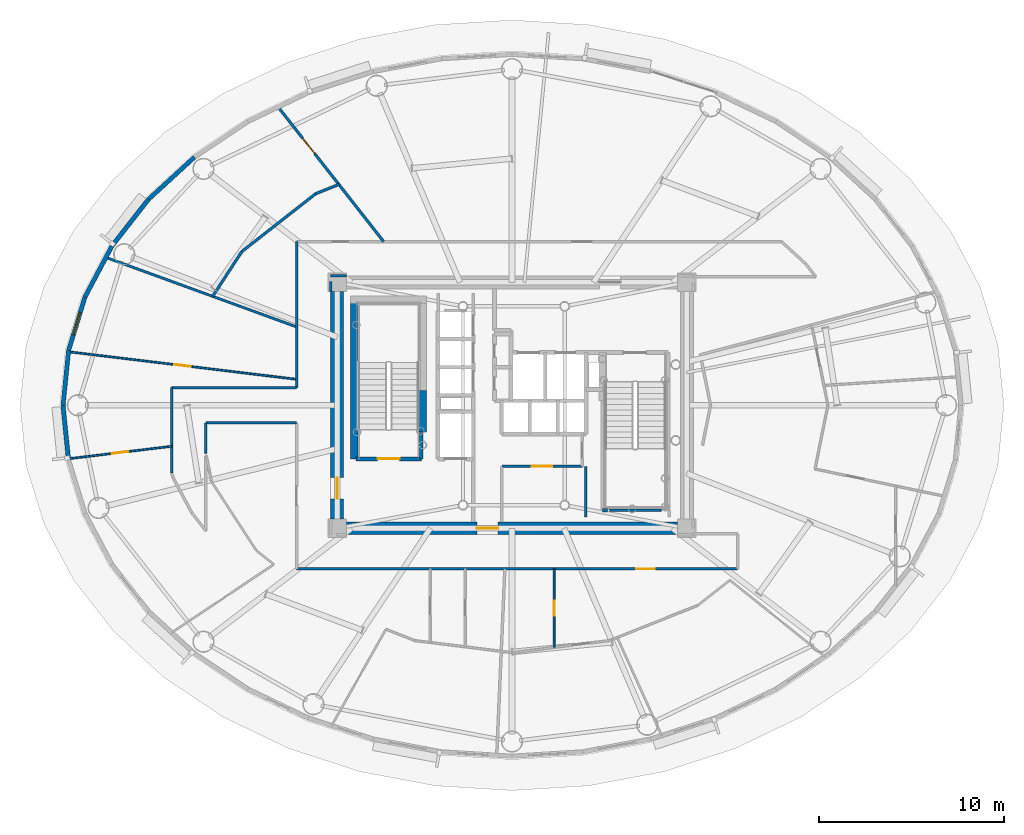
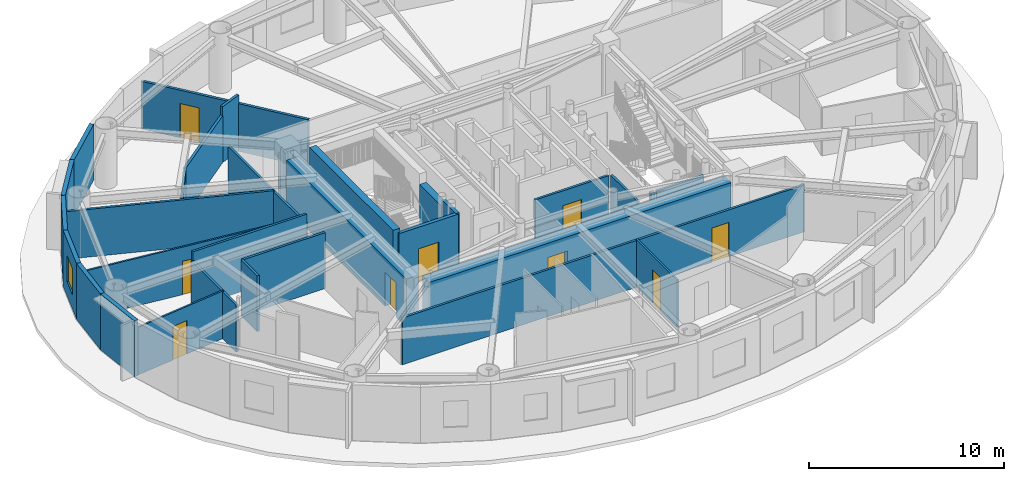
# One storey, part 10 of 19: 32 walls, 9 doors, 1 window, 10 openings.
"""IFC4 building model written with IfcOpenShell, lengths in metres."""

import ifcopenshell
import ifcopenshell.guid

model = None  # the IFC model being written
_history = None  # IfcOwnerHistory: only IFC2X3 demands one
_inside = {}  # id of a spatial element -> (the spatial element, [elements in it])
_under = {}  # id of a project, library or spatial element -> (it, [spatial elements below it])
_declared = {}  # id of a project -> (the project, [libraries it declares])
_typed = {}  # id of a type object -> (the type object, [elements of that type])
_made_of = {}  # id of a material, layer set ... -> (it, [elements and type objects made of it])


def new_model(schema):
    """Start an empty IFC model of exactly this schema.

    Asked for "IFC4X3", IfcOpenShell would pick the latest addendum, in which some entities
    have other attributes; the version numbers below select the first issue.
    IFC2X3 requires an IfcOwnerHistory on every rooted entity: one is made here for all.
    """
    global model, _history
    if schema == "IFC4X3":
        model = ifcopenshell.file(schema_version=(4, 3, 0, 0))
    else:
        model = ifcopenshell.file(schema=schema)
    _inside.clear()
    _under.clear()
    _declared.clear()
    _typed.clear()
    _made_of.clear()
    _history = None
    if model.schema == "IFC2X3":
        org = make("IfcOrganization", Name="unknown")
        user = make(
            "IfcPersonAndOrganization",
            ThePerson=make("IfcPerson", FamilyName="unknown"),
            TheOrganization=org,
        )
        app = make(
            "IfcApplication",
            ApplicationDeveloper=org,
            Version="unknown",
            ApplicationFullName="unknown",
            ApplicationIdentifier="unknown",
        )
        _history = make(
            "IfcOwnerHistory",
            OwningUser=user,
            OwningApplication=app,
            ChangeAction="ADDED",
            CreationDate=0,
        )
    return model


def make(cls, **values):
    """One entity of the class cls with the attributes given. An attribute that is None is left unset."""
    return model.create_entity(
        cls, **{name: value for name, value in values.items() if value is not None}
    )


def rooted(cls, **values):
    """An entity with a GlobalId (a new one), such as an element, a storey or a relation."""
    return make(cls, GlobalId=ifcopenshell.guid.new(), OwnerHistory=_history, **values)


def si_unit(unit_type, name, prefix=None):
    """IfcSIUnit, for example si_unit("LENGTHUNIT", "METRE", prefix="MILLI")."""
    return make("IfcSIUnit", UnitType=unit_type, Prefix=prefix, Name=name)


def assignment(units):
    """IfcUnitAssignment: the units of a project."""
    return None if units is None else make("IfcUnitAssignment", Units=units)


def point(xyz):
    """IfcCartesianPoint."""
    return None if xyz is None else make("IfcCartesianPoint", Coordinates=xyz)


def direction(xyz):
    """IfcDirection."""
    return None if xyz is None else make("IfcDirection", DirectionRatios=xyz)


def frame(location, z_axis=None, x_axis=None):
    """IfcAxis2Placement3D, a coordinate frame: its origin and axes. An axis left out is left unset."""
    return make(
        "IfcAxis2Placement3D",
        Location=point(location),
        Axis=direction(z_axis),
        RefDirection=direction(x_axis),
    )


def frame_2d(location, x_axis=None):
    """IfcAxis2Placement2D, a coordinate frame in the plane: its origin and x axis."""
    return make(
        "IfcAxis2Placement2D", Location=point(location), RefDirection=direction(x_axis)
    )


def origin():
    """The frame at (0, 0, 0) with its axes left unset."""
    return frame((0.0, 0.0, 0.0))


def origin_2d():
    """The frame at (0, 0) in the plane with its x axis left unset."""
    return frame_2d((0.0, 0.0))


def place(relative_to, where):
    """IfcLocalPlacement: puts the frame where relative to a parent placement (None: the world)."""
    return make(
        "IfcLocalPlacement", PlacementRelTo=relative_to, RelativePlacement=where
    )


def context(
    kind, dimensions, precision=None, world=None, true_north=None, identifier=None
):
    """IfcGeometricRepresentationContext, for example the 3D "Model" context."""
    return make(
        "IfcGeometricRepresentationContext",
        ContextIdentifier=identifier,
        ContextType=kind,
        CoordinateSpaceDimension=dimensions,
        Precision=precision,
        WorldCoordinateSystem=world,
        TrueNorth=true_north,
    )


def subcontext(parent, identifier, kind, view, scale=None):
    """IfcGeometricRepresentationSubContext, for example "Body" below "Model"."""
    return make(
        "IfcGeometricRepresentationSubContext",
        ContextIdentifier=identifier,
        ContextType=kind,
        ParentContext=parent,
        TargetScale=scale,
        TargetView=view,
    )


def project(units=None, contexts=None):
    """IfcProject with its units and contexts."""
    return rooted(
        "IfcProject",
        Name="project",
        RepresentationContexts=contexts,
        UnitsInContext=assignment(units),
    )


def spatial(cls, under=None, at=None, **own):
    """A site, building, storey or space (cls), placed at a placement, below another one or the project."""
    s = rooted(cls, ObjectPlacement=at, **own)
    if under is not None:
        _under.setdefault(under.id(), (under, []))[1].append(s)
    return s


def profile(cls, at=None, kind="AREA", **sizes):
    """A parametric profile (cls). Its sizes go by their IFC names, for example OverallWidth=200.0."""
    return make(cls, ProfileType=kind, Position=at, **sizes)


def rectangle(**sizes):
    """IfcRectangleProfileDef."""
    return profile("IfcRectangleProfileDef", **sizes)


def extrude(swept, where, along, depth):
    """IfcExtrudedAreaSolid: the profile swept, set in the frame where, extruded along a direction by depth."""
    return make(
        "IfcExtrudedAreaSolid",
        SweptArea=swept,
        Position=where,
        ExtrudedDirection=direction(along),
        Depth=depth,
    )


def shape(context_of_items, identifier, shape_type, items):
    """IfcShapeRepresentation: the items that make up one representation, for example the "Body"."""
    return make(
        "IfcShapeRepresentation",
        ContextOfItems=context_of_items,
        RepresentationIdentifier=identifier,
        RepresentationType=shape_type,
        Items=items,
    )


def source(mapping_origin, context_of_items, identifier, shape_type, items):
    """IfcRepresentationMap: a shape defined once, which mapped items show again and again."""
    return make(
        "IfcRepresentationMap",
        MappingOrigin=mapping_origin,
        MappedRepresentation=shape(context_of_items, identifier, shape_type, items),
    )


def transform(
    local_origin,
    x_axis=None,
    y_axis=None,
    z_axis=None,
    scale=None,
    scale2=None,
    scale3=None,
    uniform=True,
):
    """IfcCartesianTransformationOperator3D, or its non-uniform kind. x_axis, y_axis, z_axis: its Axis1, 2, 3."""
    if uniform:
        return make(
            "IfcCartesianTransformationOperator3D",
            Axis1=direction(x_axis),
            Axis2=direction(y_axis),
            LocalOrigin=point(local_origin),
            Scale=scale,
            Axis3=direction(z_axis),
        )
    return make(
        "IfcCartesianTransformationOperator3DnonUniform",
        Axis1=direction(x_axis),
        Axis2=direction(y_axis),
        LocalOrigin=point(local_origin),
        Scale=scale,
        Axis3=direction(z_axis),
        Scale2=scale2,
        Scale3=scale3,
    )


def mapped(mapping_source, mapping_target):
    """IfcMappedItem: shows the shape of a source again, moved by a transform."""
    return make(
        "IfcMappedItem", MappingSource=mapping_source, MappingTarget=mapping_target
    )


def material(Name=None, Category=None):
    """IfcMaterial."""
    return make("IfcMaterial", Name=Name, Category=Category)


def layer(
    of_material, thickness, ventilated=None, Name=None, Category=None, Priority=None
):
    """IfcMaterialLayer: one layer of a wall or slab, of a material (None: an air gap)."""
    return make(
        "IfcMaterialLayer",
        Material=of_material,
        LayerThickness=thickness,
        IsVentilated=ventilated,
        Name=Name,
        Category=Category,
        Priority=Priority,
    )


def layer_set(layers, Name=None):
    """IfcMaterialLayerSet."""
    return make("IfcMaterialLayerSet", MaterialLayers=layers, LayerSetName=Name)


def made_of(thing, what):
    """Note that an element or type object is made of a material, layer set ...; save() writes the relation."""
    if what is not None:
        _made_of.setdefault(what.id(), (what, []))[1].append(thing)
    return thing


def type_object(cls, material=None, **own):
    """A type object (cls), such as IfcWallType, which elements share."""
    return made_of(rooted(cls, **own), material)


def element(
    cls,
    number,
    at=None,
    inside=None,
    cuts=None,
    type_object=None,
    material=None,
    context=None,
    identifier="Body",
    shape_type=None,
    held_by="IfcProductDefinitionShape",
    body=None,
    shapes=None,
    **own,
):
    """One element of the class cls, such as IfcWall. Its Tag is "e" and its number.

    at: its placement. inside: the storey or other place that contains it. cuts: it is an
    opening in that element (IfcRelVoidsElement). A single representation is given by context,
    identifier, shape_type and body (its items); several are given by shapes. held_by: the class
    of the entity that holds the representations. save() writes the other relations.
    """
    e = rooted(cls, Tag="e%d" % number, ObjectPlacement=at, **own)
    if body is not None:
        shapes = [shape(context, identifier, shape_type, body)]
    if shapes is not None:
        e.Representation = make(held_by, Representations=shapes)
    if inside is not None:
        _inside.setdefault(inside.id(), (inside, []))[1].append(e)
    if cuts is not None:
        rooted(
            "IfcRelVoidsElement", RelatingBuildingElement=cuts, RelatedOpeningElement=e
        )
    if type_object is not None:
        _typed.setdefault(type_object.id(), (type_object, []))[1].append(e)
    return made_of(e, material)


def fill(opening, filler):
    """IfcRelFillsElement: the door or window that sits in an opening."""
    return rooted(
        "IfcRelFillsElement",
        RelatingOpeningElement=opening,
        RelatedBuildingElement=filler,
    )


def aggregate(whole, parts):
    """IfcRelAggregates: a whole, such as a stair, and the parts it consists of."""
    return rooted("IfcRelAggregates", RelatingObject=whole, RelatedObjects=parts)


def save(model, path):
    """Write the relations noted so far, then the file.

    IfcRelAggregates (storeys below a building ...), IfcRelContainedInSpatialStructure (elements
    in a storey), IfcRelDefinesByType, IfcRelAssociatesMaterial and IfcRelDeclares: one each for
    every whole, place, type object, material and project.
    """
    for whole, parts in _under.values():
        aggregate(whole, parts)
    for where, things in _inside.values():
        rooted(
            "IfcRelContainedInSpatialStructure",
            RelatedElements=things,
            RelatingStructure=where,
        )
    for kind, things in _typed.values():
        rooted("IfcRelDefinesByType", RelatedObjects=things, RelatingType=kind)
    for what, things in _made_of.values():
        rooted("IfcRelAssociatesMaterial", RelatedObjects=things, RelatingMaterial=what)
    for by, libraries in _declared.values():
        rooted("IfcRelDeclares", RelatingContext=by, RelatedDefinitions=libraries)
    model.write(path)


model = new_model("IFC4")

# Units and contexts
model_context = context("Model", 3, precision=1e-05, world=origin(), true_north=direction((0.0, 1.0)))
body_context = subcontext(model_context, "Body", "Model", "MODEL_VIEW")
ifc_project = project(units=[si_unit("LENGTHUNIT", "METRE"), si_unit("AREAUNIT", "SQUARE_METRE"), si_unit("VOLUMEUNIT", "CUBIC_METRE"), si_unit("PLANEANGLEUNIT", "RADIAN"), si_unit("MASSUNIT", "GRAM", prefix="KILO")], contexts=[model_context])

# Site, building, storey
site_placement = place(None, origin())
site = spatial("IfcSite", under=ifc_project, at=site_placement, CompositionType="ELEMENT")
building_placement = place(site_placement, origin())
building = spatial("IfcBuilding", under=site, at=building_placement, Name="Linh Dai School and Residence Tower", CompositionType="ELEMENT")
storey_placement = place(building_placement, frame((0.0, 0.0, 210.300048828125)))
storey = spatial("IfcBuildingStorey", under=building, at=storey_placement, Name="L51", CompositionType="ELEMENT", Elevation=210.300048828125)

# Walls
ifc_material_1 = material(Name="Precast Concrete B45 (C35/45)", Category="concrete")
ifc_layer_1 = layer(ifc_material_1, 0.239990234375)
ifc_layer_set_1 = layer_set([ifc_layer_1], Name="Precast Concrete B45 (C35/45)")
wall_type_1 = type_object("IfcWallType", Name="EW-TC-240", PredefinedType="SOLIDWALL", material=ifc_layer_set_1)
wall_1_placement = place(storey_placement, frame((16.3515625, 38.14453125, 0.0), z_axis=(0.0, 0.0, 1.0), x_axis=(0.737123922599, 0.675757591694, 0.0)))
element("IfcWall", 1, at=wall_1_placement, inside=storey, type_object=wall_type_1, Name="L51 Terracotta Exterior Wall 16", PredefinedType="SOLIDWALL", context=body_context, shape_type="SweptSolid", body=[
    extrude(rectangle(XDim=3.353759765625, YDim=0.239990234375, at=frame_2d((1.6767578125, 0.0))), origin(), (0.0, 0.0, 1.0), 3.5),
])
wall_2_placement = place(storey_placement, frame((14.3642578125, 35.605224609375, 0.0), z_axis=(0.0, 0.0, 1.0), x_axis=(0.616312344705, 0.787501805562, 0.0)))
element("IfcWall", 2, at=wall_2_placement, inside=storey, type_object=wall_type_1, Name="L51 Terracotta Exterior Wall 17", PredefinedType="SOLIDWALL", context=body_context, shape_type="SweptSolid", body=[
    extrude(rectangle(XDim=3.224609375, YDim=0.239990234375, at=frame_2d((1.6123046875, 0.0))), origin(), (0.0, 0.0, 1.0), 3.5),
])
wall_3_placement = place(storey_placement, frame((12.90966796875, 32.85595703125, 0.0), z_axis=(0.0, 0.0, 1.0), x_axis=(0.46766049993, 0.883908172157, 0.0)))
element("IfcWall", 3, at=wall_3_placement, inside=storey, type_object=wall_type_1, Name="L51 Terracotta Exterior Wall 18", PredefinedType="SOLIDWALL", context=body_context, shape_type="SweptSolid", body=[
    extrude(rectangle(XDim=3.1103515625, YDim=0.239990234375, at=frame_2d((1.55517578125, 0.0))), origin(), (0.0, 0.0, 1.0), 3.5),
])

# Wall, opening, window
wall_4_placement = place(storey_placement, frame((12.02294921875, 29.9638671875, 0.0), z_axis=(0.0, 0.0, 1.0), x_axis=(0.293132907334, 0.95607170162, 0.0)))
wall_4 = element("IfcWall", 4, at=wall_4_placement, inside=storey, type_object=wall_type_1, Name="L51 Terracotta Exterior Wall 19", PredefinedType="SOLIDWALL", context=body_context, shape_type="SweptSolid", body=[
    extrude(rectangle(XDim=3.02490234375, YDim=0.239990234375, at=frame_2d((1.512451171875, 0.0))), origin(), (0.0, 0.0, 1.0), 3.5),
])
opening_1_placement = place(wall_4_placement, frame((0.887451171875, 0.0, 0.89990234375)))
opening_1 = element("IfcOpeningElement", 5, at=opening_1_placement, cuts=wall_4, Name="Opening W3", PredefinedType="OPENING", context=body_context, shape_type="SweptSolid", body=[
    extrude(rectangle(XDim=1.25, YDim=1.64990234375, at=origin_2d()), frame((0.625, 0.1298828125, 0.824951171875), z_axis=(0.0, -1.0, 0.0), x_axis=(1.0, 0.0, 0.0)), (0.0, 0.0, 1.0), 0.260009765625),
])
ifc_material_2 = material(Name="Double Low-E Insulated Glazing", Category="glass")
window_type = type_object("IfcWindowType", Name="WN-RES-1250x1650", PartitioningType="SINGLE_PANEL", PredefinedType="WINDOW", material=ifc_material_2)
shared_shape_1 = source(origin(), body_context, "Body", "SweptSolid", [
    extrude(rectangle(XDim=1.25, YDim=1.64990234375, at=origin_2d()), frame((0.625, 0.030029296875, 0.824951171875), z_axis=(0.0, -1.0, 0.0), x_axis=(1.0, 0.0, 0.0)), (0.0, 0.0, 1.0), 0.06005859375),
])
window_placement = place(opening_1_placement, origin())
window = element("IfcWindow", 6, at=window_placement, inside=storey, type_object=window_type, Name="L51 Exterior Window 19.1", OverallHeight=1.64990234375, OverallWidth=1.25, PartitioningType="SINGLE_PANEL", PredefinedType="WINDOW", context=body_context, shape_type="MappedRepresentation", body=[
    mapped(shared_shape_1, transform((0.0, 0.0, 0.0), x_axis=(1.0, 0.0, 0.0), y_axis=(0.0, 1.0, 0.0), z_axis=(0.0, 0.0, 1.0), scale=1.0)),
])
fill(opening_1, window)

# Walls
for number, where, z_axis, x_axis, name in (
    (7, (11.72509765625, 27.0, 0.0), (0.0, 0.0, 1.0), (0.099990595253, 0.994988382274, 0.0), "L51 Terracotta Exterior Wall 20"),
    (8, (12.02294921875, 24.0361328125, 0.0), (0.0, 0.0, 1.0), (-0.099990595253, 0.994988382274, 0.0), "L51 Terracotta Exterior Wall 21"),
):
    element("IfcWall", number, at=place(storey_placement, frame(where, z_axis=z_axis, x_axis=x_axis)), inside=storey, type_object=wall_type_1, Name=name, PredefinedType="SOLIDWALL", context=body_context, shape_type="SweptSolid", body=[
        extrude(rectangle(XDim=2.978759765625, YDim=0.239990234375, at=frame_2d((1.4892578125, 0.0))), origin(), (0.0, 0.0, 1.0), 3.5),
    ])
ifc_material_3 = material(Name="Autoclaved Aerated Concrete Blockwork", Category="masonry")
ifc_layer_2 = layer(ifc_material_3, 0.135009765625)
ifc_layer_set_2 = layer_set([ifc_layer_2], Name="Autoclaved Aerated Concrete Blockwork")
wall_type_2 = type_object("IfcWallType", Name="IW-CORR-135-EI90", PredefinedType="PARTITIONING", material=ifc_layer_set_2)
wall_5_placement = place(storey_placement, frame((14.035400390625, 34.994384765625, 0.0), z_axis=(0.0, 0.0, 1.0), x_axis=(0.939692724134, -0.342019859378, 0.0)))
element("IfcWall", 9, at=wall_5_placement, inside=storey, type_object=wall_type_2, Name="L51 Interior Partition Wall 003", PredefinedType="PARTITIONING", context=body_context, shape_type="SweptSolid", body=[
    extrude(rectangle(XDim=10.976318359375, YDim=0.135009765625, at=frame_2d((5.48828125, 0.0))), origin(), (0.0, 0.0, 1.0), 2.98486328125),
])
wall_6_placement = place(storey_placement, frame((17.60009765625, 23.327880859375, 0.0), z_axis=(0.0, 0.0, 1.0), x_axis=(0.0, 1.0, 0.0)))
element("IfcWall", 10, at=wall_6_placement, inside=storey, type_object=wall_type_2, Name="L51 Interior Partition Wall 005", PredefinedType="PARTITIONING", context=body_context, shape_type="SweptSolid", body=[
    extrude(rectangle(XDim=4.6220703125, YDim=0.135009765625, at=frame_2d((2.31103515625, 0.0))), origin(), (0.0, 0.0, 1.0), 2.93505859375),
])
wall_7_placement = place(storey_placement, frame((17.60009765625, 27.949951171875, 0.0), z_axis=(0.0, 0.0, 1.0), x_axis=(1.0, 0.0, 0.0)))
element("IfcWall", 11, at=wall_7_placement, inside=storey, type_object=wall_type_2, Name="L51 Interior Partition Wall 007", PredefinedType="PARTITIONING", context=body_context, shape_type="SweptSolid", body=[
    extrude(rectangle(XDim=6.75, YDim=0.135009765625, at=frame_2d((3.375, 0.0))), origin(), (0.0, 0.0, 1.0), 3.5),
])
wall_8_placement = place(storey_placement, frame((19.449951171875, 24.3798828125, 0.0), z_axis=(0.0, 0.0, 1.0), x_axis=(0.0, 1.0, 0.0)))
element("IfcWall", 12, at=wall_8_placement, inside=storey, type_object=wall_type_2, Name="L51 Interior Partition Wall 011", PredefinedType="PARTITIONING", context=body_context, shape_type="SweptSolid", body=[
    extrude(rectangle(XDim=1.670166015625, YDim=0.135009765625, at=frame_2d((0.8349609375, 0.0))), origin(), (0.0, 0.0, 1.0), 3.5),
])
wall_9_placement = place(storey_placement, frame((19.449951171875, 26.050048828125, 0.0), z_axis=(0.0, 0.0, 1.0), x_axis=(1.0, 0.0, 0.0)))
element("IfcWall", 13, at=wall_9_placement, inside=storey, type_object=wall_type_2, Name="L51 Interior Partition Wall 012", PredefinedType="PARTITIONING", context=body_context, shape_type="SweptSolid", body=[
    extrude(rectangle(XDim=4.900146484375, YDim=0.135009765625, at=frame_2d((2.4501953125, 0.0))), origin(), (0.0, 0.0, 1.0), 3.5),
])

# Wall, opening, door
wall_10_placement = place(storey_placement, frame((24.35009765625, 18.14990234375, 0.0), z_axis=(0.0, 0.0, 1.0), x_axis=(1.0, 0.0, 0.0)))
wall_10 = element("IfcWall", 14, at=wall_10_placement, inside=storey, type_object=wall_type_2, Name="L51 Interior Partition Wall 020", PredefinedType="PARTITIONING", context=body_context, shape_type="SweptSolid", body=[
    extrude(rectangle(XDim=23.849853515625, YDim=0.135009765625, at=frame_2d((11.9248046875, 0.0))), origin(), (0.0, 0.0, 1.0), 2.93505859375),
])
opening_2_placement = place(wall_10_placement, frame((18.369873046875, 0.0, 0.0)))
opening_2 = element("IfcOpeningElement", 15, at=opening_2_placement, cuts=wall_10, Name="Opening D03", PredefinedType="OPENING", context=body_context, shape_type="SweptSolid", body=[
    extrude(rectangle(XDim=1.0, YDim=2.14990234375, at=origin_2d()), frame((0.5, 0.07763671875, 1.074951171875), z_axis=(0.0, -1.0, 0.0), x_axis=(1.0, 0.0, 0.0)), (0.0, 0.0, 1.0), 0.155029296875),
])
ifc_material_4 = material(Name="Fire-Rated Solid Timber Entrance Door", Category="wood")
door_type_1 = type_object("IfcDoorType", Name="DR-FLAT-1000x2150-FD60S", OperationType="NOTDEFINED", PredefinedType="DOOR", material=ifc_material_4)
shared_shape_2 = source(origin(), body_context, "Body", "SweptSolid", [
    extrude(rectangle(XDim=1.0, YDim=2.14990234375, at=origin_2d()), frame((0.5, 0.02490234375, 1.074951171875), z_axis=(0.0, -1.0, 0.0), x_axis=(1.0, 0.0, 0.0)), (0.0, 0.0, 1.0), 0.050048828125),
])
door_1_placement = place(opening_2_placement, origin())
door_1 = element("IfcDoor", 16, at=door_1_placement, inside=storey, type_object=door_type_1, Name="L51 U5102 Apartment Entrance Door", OperationType="SINGLE_SWING_LEFT", OverallHeight=2.14990234375, OverallWidth=1.0, PredefinedType="DOOR", context=body_context, shape_type="MappedRepresentation", body=[
    mapped(shared_shape_2, transform((0.0, 0.0, 0.0), x_axis=(1.0, 0.0, 0.0), y_axis=(0.0, 1.0, 0.0), z_axis=(0.0, 0.0, 1.0), scale=1.0)),
])
fill(opening_2, door_1)

# Wall
wall_11_placement = place(storey_placement, frame((24.35009765625, 27.949951171875, 0.0), z_axis=(0.0, 0.0, 1.0), x_axis=(0.0, 1.0, 0.0)))
element("IfcWall", 17, at=wall_11_placement, inside=storey, type_object=wall_type_2, Name="L51 Interior Partition Wall 021", PredefinedType="PARTITIONING", context=body_context, shape_type="SweptSolid", body=[
    extrude(rectangle(XDim=7.900146484375, YDim=0.135009765625, at=frame_2d((3.9501953125, 0.0))), origin(), (0.0, 0.0, 1.0), 2.93505859375),
])

# Wall, opening, door
wall_12_placement = place(storey_placement, frame((35.449951171875, 23.699951171875, 0.0), z_axis=(0.0, 0.0, 1.0), x_axis=(1.0, 0.0, 0.0)))
wall_12 = element("IfcWall", 18, at=wall_12_placement, inside=storey, type_object=wall_type_2, Name="L51 Interior Partition Wall 046", PredefinedType="PARTITIONING", context=body_context, shape_type="SweptSolid", body=[
    extrude(rectangle(XDim=4.35009765625, YDim=0.135009765625, at=frame_2d((2.175048828125, 0.0))), origin(), (0.0, 0.0, 1.0), 3.0849609375),
])
opening_3_placement = place(wall_12_placement, frame((1.625, 0.0, 0.0)))
opening_3 = element("IfcOpeningElement", 19, at=opening_3_placement, cuts=wall_12, Name="Opening D07", PredefinedType="OPENING", context=body_context, shape_type="SweptSolid", body=[
    extrude(rectangle(XDim=1.10009765625, YDim=2.14990234375, at=origin_2d()), frame((0.550048828125, 0.07763671875, 1.074951171875), z_axis=(0.0, -1.0, 0.0), x_axis=(1.0, 0.0, 0.0)), (0.0, 0.0, 1.0), 0.155029296875),
])
ifc_material_5 = material(Name="Fire-Rated Louvred Steel Plant Door", Category="steel")
door_type_2 = type_object("IfcDoorType", Name="DR-PLT-1100x2150-FD60S", OperationType="NOTDEFINED", PredefinedType="DOOR", material=ifc_material_5)
shared_shape_3 = source(origin(), body_context, "Body", "SweptSolid", [
    extrude(rectangle(XDim=1.10009765625, YDim=2.14990234375, at=origin_2d()), frame((0.550048828125, 0.02490234375, 1.074951171875), z_axis=(0.0, -1.0, 0.0), x_axis=(1.0, 0.0, 0.0)), (0.0, 0.0, 1.0), 0.050048828125),
])
door_2_placement = place(opening_3_placement, origin())
door_2 = element("IfcDoor", 20, at=door_2_placement, inside=storey, type_object=door_type_2, Name="L51 Tenant Metering and BMS Room Door", OperationType="SINGLE_SWING_RIGHT", OverallHeight=2.14990234375, OverallWidth=1.10009765625, PredefinedType="DOOR", context=body_context, shape_type="MappedRepresentation", body=[
    mapped(shared_shape_3, transform((0.0, 0.0, 0.0), x_axis=(1.0, 0.0, 0.0), y_axis=(0.0, 1.0, 0.0), z_axis=(0.0, 0.0, 1.0), scale=1.0)),
])
fill(opening_3, door_2)

# Walls
wall_13_placement = place(storey_placement, frame((44.080078125, 21.330078125, 0.0), z_axis=(0.0, 0.0, 1.0), x_axis=(-1.0, 0.0, 0.0)))
element("IfcWall", 21, at=wall_13_placement, inside=storey, type_object=wall_type_2, Name="L51 Interior Partition Wall 078", PredefinedType="PARTITIONING", context=body_context, shape_type="SweptSolid", body=[
    extrude(rectangle(XDim=2.820068359375, YDim=0.135009765625, at=frame_2d((1.41015625, 0.0))), origin(), (0.0, 0.0, 1.0), 3.034912109375),
])
wall_14_placement = place(storey_placement, frame((40.0, 23.699951171875, 0.0), z_axis=(0.0, 0.0, 1.0), x_axis=(0.0, -1.0, 0.0)))
element("IfcWall", 22, at=wall_14_placement, inside=storey, type_object=wall_type_2, Name="L51 Interior Partition Wall 080", PredefinedType="PARTITIONING", context=body_context, shape_type="SweptSolid", body=[
    extrude(rectangle(XDim=2.739990234375, YDim=0.135009765625, at=frame_2d((1.3701171875, 0.0))), origin(), (0.0, 0.0, 1.0), 3.034912109375),
])
wall_15_placement = place(storey_placement, frame((27.0400390625, 34.0, 0.0), z_axis=(0.0, 0.0, 1.0), x_axis=(-1.0, 0.0, 0.0)))
element("IfcWall", 23, at=wall_15_placement, inside=storey, type_object=wall_type_2, Name="L51 Interior Partition Wall 085", PredefinedType="PARTITIONING", context=body_context, shape_type="SweptSolid", body=[
    extrude(rectangle(XDim=0.840087890625, YDim=0.135009765625, at=frame_2d((0.419921875, 0.0))), origin(), (0.0, 0.0, 1.0), 2.93505859375),
])
wall_16_placement = place(storey_placement, frame((26.199951171875, 33.6923828125, 0.0), z_axis=(0.0, 0.0, 1.0), x_axis=(0.0, -1.0, 0.0)))
element("IfcWall", 24, at=wall_16_placement, inside=storey, type_object=wall_type_2, Name="L51 Interior Partition Wall 086", PredefinedType="PARTITIONING", context=body_context, shape_type="SweptSolid", body=[
    extrude(rectangle(XDim=0.532470703125, YDim=0.135009765625, at=frame_2d((0.26611328125, 0.0))), origin(), (0.0, 0.0, 1.0), 3.5),
])
ifc_layer_3 = layer(ifc_material_3, 0.14990234375)
ifc_layer_set_3 = layer_set([ifc_layer_3], Name="Autoclaved Aerated Concrete Blockwork")
wall_type_3 = type_object("IfcWallType", Name="IW-SCH-150-EI60", PredefinedType="PARTITIONING", material=ifc_layer_set_3)
wall_17_placement = place(storey_placement, frame((19.817626953125, 32.889892578125, 0.0), z_axis=(0.0, 0.0, 1.0), x_axis=(0.545416284356, 0.838165303958, 0.0)))
element("IfcWall", 25, at=wall_17_placement, inside=storey, type_object=wall_type_3, Name="L51 Interior Partition Wall 015", PredefinedType="PARTITIONING", context=body_context, shape_type="SweptSolid", body=[
    extrude(rectangle(XDim=2.88720703125, YDim=0.14990234375, at=frame_2d((1.443603515625, 0.0))), origin(), (0.0, 0.0, 1.0), 2.93505859375),
])
wall_18_placement = place(storey_placement, frame((21.392333984375, 35.309814453125, 0.0), z_axis=(0.0, 0.0, 1.0), x_axis=(0.787342504548, 0.616515839645, 0.0)))
element("IfcWall", 26, at=wall_18_placement, inside=storey, type_object=wall_type_3, Name="L51 Interior Partition Wall 016", PredefinedType="PARTITIONING", context=body_context, shape_type="SweptSolid", body=[
    extrude(rectangle(XDim=5.073486328125, YDim=0.14990234375, at=frame_2d((2.53662109375, 0.0))), origin(), (0.0, 0.0, 1.0), 2.93505859375),
])

# Wall, opening, door
wall_19_placement = place(storey_placement, frame((23.348876953125, 43.134765625, 0.0), z_axis=(0.0, 0.0, 1.0), x_axis=(0.617036193332, -0.786934772467, 0.0)))
wall_19 = element("IfcWall", 27, at=wall_19_placement, inside=storey, type_object=wall_type_3, Name="L51 Interior Partition Wall 018", PredefinedType="PARTITIONING", context=body_context, shape_type="SweptSolid", body=[
    extrude(rectangle(XDim=9.257080078125, YDim=0.14990234375, at=frame_2d((4.62841796875, 0.0))), origin(), (0.0, 0.0, 1.0), 2.98486328125),
])
opening_4_placement = place(wall_19_placement, frame((2.161865234375, 0.0, 0.0)))
opening_4 = element("IfcOpeningElement", 28, at=opening_4_placement, cuts=wall_19, Name="Opening D04", PredefinedType="OPENING", context=body_context, shape_type="SweptSolid", body=[
    extrude(rectangle(XDim=1.050048828125, YDim=2.14990234375, at=origin_2d()), frame((0.52490234375, 0.0849609375, 1.074951171875), z_axis=(0.0, -1.0, 0.0), x_axis=(1.0, 0.0, 0.0)), (0.0, 0.0, 1.0), 0.169921875),
])
ifc_material_6 = material(Name="Acoustic Vision-Panel Timber Classroom Door", Category="wood")
door_type_3 = type_object("IfcDoorType", Name="DR-SCH-1050x2150-FD60S", OperationType="NOTDEFINED", PredefinedType="DOOR", material=ifc_material_6)
shared_shape_4 = source(origin(), body_context, "Body", "SweptSolid", [
    extrude(rectangle(XDim=1.050048828125, YDim=2.14990234375, at=origin_2d()), frame((0.52490234375, 0.02490234375, 1.074951171875), z_axis=(0.0, -1.0, 0.0), x_axis=(1.0, 0.0, 0.0)), (0.0, 0.0, 1.0), 0.050048828125),
])
door_3_placement = place(opening_4_placement, origin())
door_3 = element("IfcDoor", 29, at=door_3_placement, inside=storey, type_object=door_type_3, Name="L51 Amenity Tea Salon Door", OperationType="SINGLE_SWING_RIGHT", OverallHeight=2.14990234375, OverallWidth=1.050048828125, PredefinedType="DOOR", context=body_context, shape_type="MappedRepresentation", body=[
    mapped(shared_shape_4, transform((0.0, 0.0, 0.0), x_axis=(1.0, 0.0, 0.0), y_axis=(0.0, 1.0, 0.0), z_axis=(0.0, 0.0, 1.0), scale=1.0)),
])
fill(opening_4, door_3)

# Wall
wall_20_placement = place(storey_placement, frame((25.386962890625, 38.437744140625, 0.0), z_axis=(0.0, 0.0, 1.0), x_axis=(0.928838228923, 0.370485552339, 0.0)))
element("IfcWall", 30, at=wall_20_placement, inside=storey, type_object=wall_type_3, Name="L51 Interior Partition Wall 023", PredefinedType="PARTITIONING", context=body_context, shape_type="SweptSolid", body=[
    extrude(rectangle(XDim=1.348876953125, YDim=0.14990234375, at=frame_2d((0.67431640625, 0.0))), origin(), (0.0, 0.0, 1.0), 3.5),
])

# Wall, opening, door
ifc_material_7 = material(Name="Concrete B45 (C35/45)", Category="concrete")
ifc_layer_4 = layer(ifc_material_7, 0.199951171875)
ifc_layer_set_4 = layer_set([ifc_layer_4], Name="Concrete B45 (C35/45)")
wall_type_4 = type_object("IfcWallType", Name="IW-SHAFT-200-EI120", PredefinedType="PARTITIONING", material=ifc_layer_set_4)
wall_21_placement = place(storey_placement, frame((27.56005859375, 24.10009765625, 0.0), z_axis=(0.0, 0.0, 1.0), x_axis=(1.0, 0.0, 0.0)))
wall_21 = element("IfcWall", 31, at=wall_21_placement, inside=storey, type_object=wall_type_4, Name="L51 Interior Partition Wall 025", PredefinedType="PARTITIONING", context=body_context, shape_type="SweptSolid", body=[
    extrude(rectangle(XDim=3.5400390625, YDim=0.199951171875, at=frame_2d((1.77001953125, 0.0))), origin(), (0.0, 0.0, 1.0), 3.5),
])
opening_5_placement = place(wall_21_placement, frame((1.169921875, 0.0, 0.0)))
opening_5 = element("IfcOpeningElement", 32, at=opening_5_placement, cuts=wall_21, Name="Opening D01", PredefinedType="OPENING", context=body_context, shape_type="SweptSolid", body=[
    extrude(rectangle(XDim=1.199951171875, YDim=2.14990234375, at=origin_2d()), frame((0.60009765625, 0.10986328125, 1.074951171875), z_axis=(0.0, -1.0, 0.0), x_axis=(1.0, 0.0, 0.0)), (0.0, 0.0, 1.0), 0.219970703125),
])
ifc_material_8 = material(Name="Fire-Rated Steel Door Leaf", Category="steel")
door_type_4 = type_object("IfcDoorType", Name="DR-STAIR-1200x2150-FD90S", OperationType="NOTDEFINED", PredefinedType="DOOR", material=ifc_material_8)
shared_shape_5 = source(origin(), body_context, "Body", "SweptSolid", [
    extrude(rectangle(XDim=1.199951171875, YDim=2.14990234375, at=origin_2d()), frame((0.60009765625, 0.02490234375, 1.074951171875), z_axis=(0.0, -1.0, 0.0), x_axis=(1.0, 0.0, 0.0)), (0.0, 0.0, 1.0), 0.050048828125),
])
door_4_placement = place(opening_5_placement, origin())
door_4 = element("IfcDoor", 33, at=door_4_placement, inside=storey, type_object=door_type_4, Name="L51 Core Smokeproof Exit Stair ST1 Door", OperationType="SINGLE_SWING_RIGHT", OverallHeight=2.14990234375, OverallWidth=1.199951171875, PredefinedType="DOOR", context=body_context, shape_type="MappedRepresentation", body=[
    mapped(shared_shape_5, transform((0.0, 0.0, 0.0), x_axis=(1.0, 0.0, 0.0), y_axis=(0.0, 1.0, 0.0), z_axis=(0.0, 0.0, 1.0), scale=1.0)),
])
fill(opening_5, door_4)

# Walls
wall_22_placement = place(storey_placement, frame((31.10009765625, 24.10009765625, 0.0), z_axis=(0.0, 0.0, 1.0), x_axis=(0.0, 1.0, 0.0)))
element("IfcWall", 34, at=wall_22_placement, inside=storey, type_object=wall_type_4, Name="L51 Interior Partition Wall 028", PredefinedType="PARTITIONING", context=body_context, shape_type="SweptSolid", body=[
    extrude(rectangle(XDim=1.43994140625, YDim=0.199951171875, at=frame_2d((0.719970703125, 0.0))), origin(), (0.0, 0.0, 1.0), 3.5),
])
wall_23_placement = place(storey_placement, frame((40.89990234375, 21.330078125, 0.0), z_axis=(0.0, 0.0, 1.0), x_axis=(1.0, 0.0, 0.0)))
element("IfcWall", 35, at=wall_23_placement, inside=storey, type_object=wall_type_4, Name="L51 Interior Partition Wall 060", PredefinedType="PARTITIONING", context=body_context, shape_type="SweptSolid", body=[
    extrude(rectangle(XDim=0.25, YDim=0.199951171875, at=frame_2d((0.125, 0.0))), origin(), (0.0, 0.0, 1.0), 3.034912109375),
])

# Wall, opening, door
ifc_material_9 = material(Name="Gypsum Plasterboard Acoustic Stud Partition", Category="masonry")
ifc_layer_5 = layer(ifc_material_9, 0.10009765625)
ifc_layer_set_5 = layer_set([ifc_layer_5], Name="Gypsum Plasterboard Acoustic Stud Partition")
wall_type_5 = type_object("IfcWallType", Name="IW-UNIT-100", PredefinedType="PARTITIONING", material=ifc_layer_set_5)
wall_24_placement = place(storey_placement, frame((12.0107421875, 24.107666015625, 0.0), z_axis=(0.0, 0.0, 1.0), x_axis=(0.992811436018, 0.119688982415, 0.0)))
wall_24 = element("IfcWall", 36, at=wall_24_placement, inside=storey, type_object=wall_type_5, Name="L51 Interior Partition Wall 001", PredefinedType="PARTITIONING", context=body_context, shape_type="SweptSolid", body=[
    extrude(rectangle(XDim=5.6298828125, YDim=0.10009765625, at=frame_2d((2.81494140625, 0.0))), origin(), (0.0, 0.0, 1.0), 2.98486328125),
])
opening_6_placement = place(wall_24_placement, frame((2.364990234375, 0.0, 0.0)))
opening_6 = element("IfcOpeningElement", 37, at=opening_6_placement, cuts=wall_24, Name="Opening D05", PredefinedType="OPENING", context=body_context, shape_type="SweptSolid", body=[
    extrude(rectangle(XDim=0.89990234375, YDim=2.10009765625, at=origin_2d()), frame((0.449951171875, 0.06005859375, 1.050048828125), z_axis=(0.0, -1.0, 0.0), x_axis=(1.0, 0.0, 0.0)), (0.0, 0.0, 1.0), 0.1201171875),
])
ifc_material_10 = material(Name="Engineered Timber Internal Door", Category="wood")
door_type_5 = type_object("IfcDoorType", Name="DR-INT-900x2100", OperationType="NOTDEFINED", PredefinedType="DOOR", material=ifc_material_10)
shared_shape_6 = source(origin(), body_context, "Body", "SweptSolid", [
    extrude(rectangle(XDim=0.89990234375, YDim=2.10009765625, at=origin_2d()), frame((0.449951171875, 0.02490234375, 1.050048828125), z_axis=(0.0, -1.0, 0.0), x_axis=(1.0, 0.0, 0.0)), (0.0, 0.0, 1.0), 0.050048828125),
])
door_5_placement = place(opening_6_placement, origin())
door_5 = element("IfcDoor", 38, at=door_5_placement, inside=storey, type_object=door_type_5, Name="L51 Apartment U5101 Study Door", OperationType="SINGLE_SWING_RIGHT", OverallHeight=2.10009765625, OverallWidth=0.89990234375, PredefinedType="DOOR", context=body_context, shape_type="MappedRepresentation", body=[
    mapped(shared_shape_6, transform((0.0, 0.0, 0.0), x_axis=(1.0, 0.0, 0.0), y_axis=(0.0, 1.0, 0.0), z_axis=(0.0, 0.0, 1.0), scale=1.0)),
])
fill(opening_6, door_5)

wall_25_placement = place(storey_placement, frame((12.010986328125, 29.89404296875, 0.0), z_axis=(0.0, 0.0, 1.0), x_axis=(0.992802097996, -0.119766415217, 0.0)))
wall_25 = element("IfcWall", 39, at=wall_25_placement, inside=storey, type_object=wall_type_5, Name="L51 Interior Partition Wall 002", PredefinedType="PARTITIONING", context=body_context, shape_type="SweptSolid", body=[
    extrude(rectangle(XDim=12.428466796875, YDim=0.10009765625, at=frame_2d((6.21435546875, 0.0))), origin(), (0.0, 0.0, 1.0), 2.98486328125),
])
opening_7_placement = place(wall_25_placement, frame((5.764404296875, 0.0, 0.0)))
opening_7 = element("IfcOpeningElement", 40, at=opening_7_placement, cuts=wall_25, Name="Opening D05", PredefinedType="OPENING", context=body_context, shape_type="SweptSolid", body=[
    extrude(rectangle(XDim=0.89990234375, YDim=2.10009765625, at=origin_2d()), frame((0.449951171875, 0.06005859375, 1.050048828125), z_axis=(0.0, -1.0, 0.0), x_axis=(1.0, 0.0, 0.0)), (0.0, 0.0, 1.0), 0.1201171875),
])
door_6_placement = place(opening_7_placement, origin())
door_6 = element("IfcDoor", 41, at=door_6_placement, inside=storey, type_object=door_type_5, Name="L51 Apartment U5101 Principal Bedroom 1 Door", OperationType="SINGLE_SWING_RIGHT", OverallHeight=2.10009765625, OverallWidth=0.89990234375, PredefinedType="DOOR", context=body_context, shape_type="MappedRepresentation", body=[
    mapped(shared_shape_6, transform((0.0, 0.0, 0.0), x_axis=(1.0, 0.0, 0.0), y_axis=(0.0, 1.0, 0.0), z_axis=(0.0, 0.0, 1.0), scale=1.0)),
])
fill(opening_7, door_6)

wall_26_placement = place(storey_placement, frame((38.27978515625, 13.9091796875, 0.0), z_axis=(0.0, 0.0, 1.0), x_axis=(0.0, 1.0, 0.0)))
wall_26 = element("IfcWall", 42, at=wall_26_placement, inside=storey, type_object=wall_type_5, Name="L51 Interior Partition Wall 054", PredefinedType="PARTITIONING", context=body_context, shape_type="SweptSolid", body=[
    extrude(rectangle(XDim=4.24072265625, YDim=0.10009765625, at=frame_2d((2.120361328125, 0.0))), origin(), (0.0, 0.0, 1.0), 2.98486328125),
])
opening_8_placement = place(wall_26_placement, frame((1.71044921875, 0.0, 0.0)))
opening_8 = element("IfcOpeningElement", 43, at=opening_8_placement, cuts=wall_26, Name="Opening D06", PredefinedType="OPENING", context=body_context, shape_type="SweptSolid", body=[
    extrude(rectangle(XDim=0.820068359375, YDim=2.10009765625, at=origin_2d()), frame((0.41015625, 0.06005859375, 1.050048828125), z_axis=(0.0, -1.0, 0.0), x_axis=(1.0, 0.0, 0.0)), (0.0, 0.0, 1.0), 0.1201171875),
])
ifc_material_11 = material(Name="Moisture-Resistant Timber Bathroom Door", Category="wood")
door_type_6 = type_object("IfcDoorType", Name="DR-WET-820x2100", OperationType="NOTDEFINED", PredefinedType="DOOR", material=ifc_material_11)
shared_shape_7 = source(origin(), body_context, "Body", "SweptSolid", [
    extrude(rectangle(XDim=0.820068359375, YDim=2.10009765625, at=origin_2d()), frame((0.41015625, 0.02490234375, 1.050048828125), z_axis=(0.0, -1.0, 0.0), x_axis=(1.0, 0.0, 0.0)), (0.0, 0.0, 1.0), 0.050048828125),
])
door_7_placement = place(opening_8_placement, origin())
door_7 = element("IfcDoor", 44, at=door_7_placement, inside=storey, type_object=door_type_6, Name="L51 Apartment U5102 Bathroom 1 Door", OperationType="SINGLE_SWING_RIGHT", OverallHeight=2.10009765625, OverallWidth=0.820068359375, PredefinedType="DOOR", context=body_context, shape_type="MappedRepresentation", body=[
    mapped(shared_shape_7, transform((0.0, 0.0, 0.0), x_axis=(1.0, 0.0, 0.0), y_axis=(0.0, 1.0, 0.0), z_axis=(0.0, 0.0, 1.0), scale=1.0)),
])
fill(opening_8, door_7)

# Walls
ifc_layer_6 = layer(ifc_material_7, 0.39990234375)
ifc_layer_set_6 = layer_set([ifc_layer_6], Name="Concrete B45 (C35/45)")
wall_type_6 = type_object("IfcWallType", Name="WL-CORE400", PredefinedType="SHEAR", material=ifc_layer_set_6)
wall_27_placement = place(storey_placement, frame((27.47998046875, 24.10009765625, 0.0), z_axis=(0.0, 0.0, 1.0), x_axis=(0.0, 1.0, 0.0)))
element("IfcWall", 45, at=wall_27_placement, inside=storey, type_object=wall_type_6, Name="L51 Core Stair ST1 Bearing Wall W", PredefinedType="SHEAR", context=body_context, shape_type="SweptSolid", body=[
    extrude(rectangle(XDim=8.599853515625, YDim=0.39990234375, at=frame_2d((4.2998046875, 0.0))), origin(), (0.0, 0.0, 1.0), 3.75),
])
wall_28_placement = place(storey_placement, frame((31.179931640625, 25.550048828125, 0.0), z_axis=(0.0, 0.0, 1.0), x_axis=(0.0, 1.0, 0.0)))
element("IfcWall", 46, at=wall_28_placement, inside=storey, type_object=wall_type_6, Name="L51 Internal Core Shear Wall IW", PredefinedType="SHEAR", context=body_context, shape_type="SweptSolid", body=[
    extrude(rectangle(XDim=2.25, YDim=0.39990234375, at=frame_2d((1.125, 0.0))), origin(), (0.0, 0.0, 1.0), 3.099853515625),
])

# Wall, opening, door
ifc_layer_7 = layer(ifc_material_7, 0.699951171875)
ifc_layer_set_7 = layer_set([ifc_layer_7], Name="Concrete B45 (C35/45)")
wall_type_7 = type_object("IfcWallType", Name="WL-CORE700", PredefinedType="SHEAR", material=ifc_layer_set_7)
wall_29_placement = place(storey_placement, frame((44.949951171875, 20.35009765625, 0.0), z_axis=(0.0, 0.0, 1.0), x_axis=(-1.0, 0.0, 0.0)))
wall_29 = element("IfcWall", 47, at=wall_29_placement, inside=storey, type_object=wall_type_7, Name="L51 Central Core Shear Wall S", PredefinedType="SHEAR", context=body_context, shape_type="SweptSolid", body=[
    extrude(rectangle(XDim=17.89990234375, YDim=0.699951171875, at=frame_2d((8.949951171875, 0.0))), origin(), (0.0, 0.0, 1.0), 3.050048828125),
])
opening_9_placement = place(wall_29_placement, frame((9.699951171875, 0.0, 0.0)))
opening_9 = element("IfcOpeningElement", 48, at=opening_9_placement, cuts=wall_29, Name="Opening D02", PredefinedType="OPENING", context=body_context, shape_type="SweptSolid", body=[
    extrude(rectangle(XDim=1.14990234375, YDim=2.14990234375, at=origin_2d()), frame((0.574951171875, 0.35986328125, 1.074951171875), z_axis=(0.0, -1.0, 0.0), x_axis=(1.0, 0.0, 0.0)), (0.0, 0.0, 1.0), 0.719970703125),
])
ifc_material_12 = material(Name="Fire-Rated Glazed Steel Lobby Door", Category="steel")
door_type_7 = type_object("IfcDoorType", Name="DR-LOBBY-1150x2150-FD90S", OperationType="NOTDEFINED", PredefinedType="DOOR", material=ifc_material_12)
shared_shape_8 = source(origin(), body_context, "Body", "SweptSolid", [
    extrude(rectangle(XDim=1.14990234375, YDim=2.14990234375, at=origin_2d()), frame((0.574951171875, 0.02490234375, 1.074951171875), z_axis=(0.0, -1.0, 0.0), x_axis=(1.0, 0.0, 0.0)), (0.0, 0.0, 1.0), 0.050048828125),
])
door_8_placement = place(opening_9_placement, origin())
door_8 = element("IfcDoor", 49, at=door_8_placement, inside=storey, type_object=door_type_7, Name="L51 Passenger Foyer Access Door", OperationType="SINGLE_SWING_LEFT", OverallHeight=2.14990234375, OverallWidth=1.14990234375, PredefinedType="DOOR", context=body_context, shape_type="MappedRepresentation", body=[
    mapped(shared_shape_8, transform((0.0, 0.0, 0.0), x_axis=(1.0, 0.0, 0.0), y_axis=(0.0, 1.0, 0.0), z_axis=(0.0, 0.0, 1.0), scale=1.0)),
])
fill(opening_9, door_8)

wall_30_placement = place(storey_placement, frame((26.550048828125, 20.85009765625, 0.0), z_axis=(0.0, 0.0, 1.0), x_axis=(0.0, 1.0, 0.0)))
wall_30 = element("IfcWall", 50, at=wall_30_placement, inside=storey, type_object=wall_type_7, Name="L51 Central Core Shear Wall W", PredefinedType="SHEAR", context=body_context, shape_type="SweptSolid", body=[
    extrude(rectangle(XDim=12.2998046875, YDim=0.699951171875, at=frame_2d((6.14990234375, 0.0))), origin(), (0.0, 0.0, 1.0), 3.050048828125),
])
opening_10_placement = place(wall_30_placement, frame((1.085205078125, 0.0, 0.0)))
opening_10 = element("IfcOpeningElement", 51, at=opening_10_placement, cuts=wall_30, Name="Opening D02", PredefinedType="OPENING", context=body_context, shape_type="SweptSolid", body=[
    extrude(rectangle(XDim=1.14990234375, YDim=2.14990234375, at=origin_2d()), frame((0.574951171875, 0.35986328125, 1.074951171875), z_axis=(0.0, -1.0, 0.0), x_axis=(1.0, 0.0, 0.0)), (0.0, 0.0, 1.0), 0.719970703125),
])
door_9_placement = place(opening_10_placement, origin())
door_9 = element("IfcDoor", 52, at=door_9_placement, inside=storey, type_object=door_type_7, Name="L51 Firefighting Lobby Door", OperationType="SINGLE_SWING_LEFT", OverallHeight=2.14990234375, OverallWidth=1.14990234375, PredefinedType="DOOR", context=body_context, shape_type="MappedRepresentation", body=[
    mapped(shared_shape_8, transform((0.0, 0.0, 0.0), x_axis=(1.0, 0.0, 0.0), y_axis=(0.0, 1.0, 0.0), z_axis=(0.0, 0.0, 1.0), scale=1.0)),
])
fill(opening_10, door_9)

save(model, "model.ifc")
